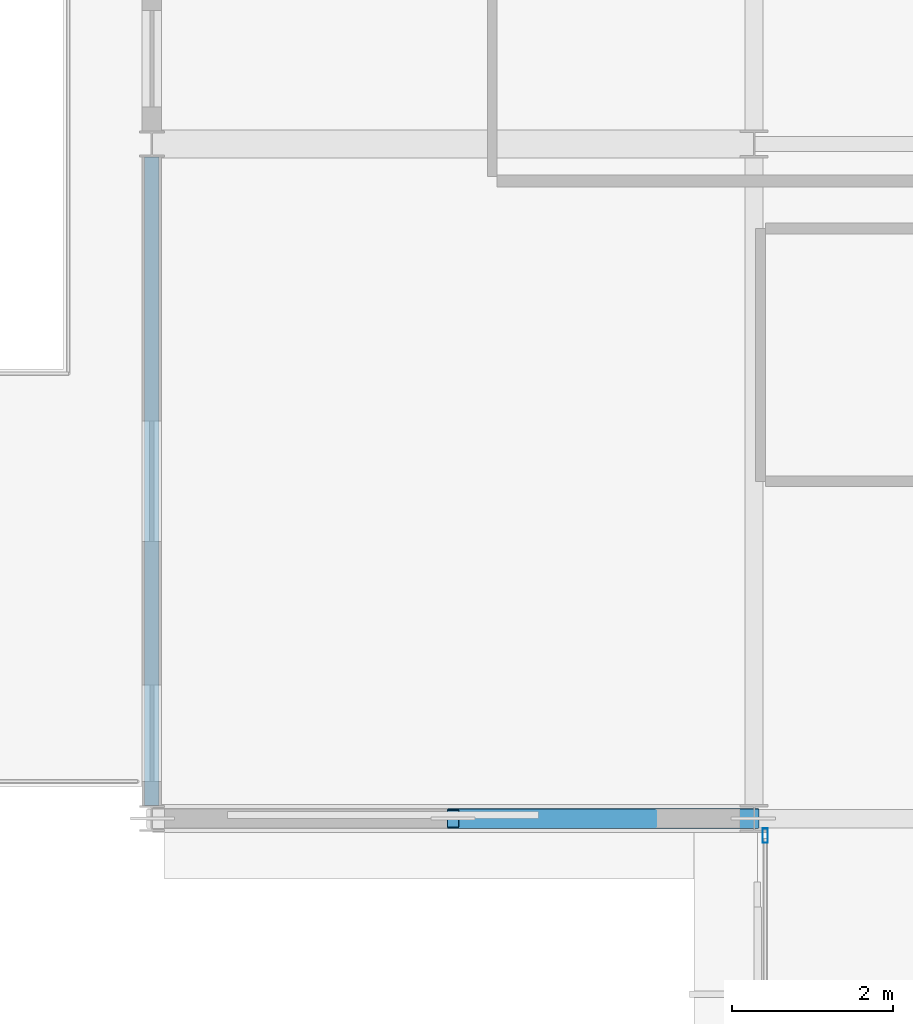
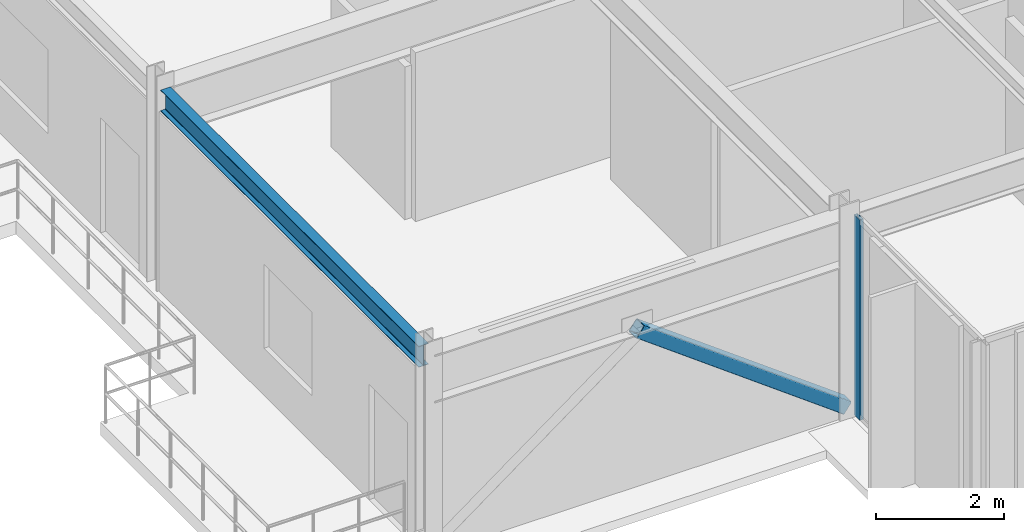
# One storey, part 4 of 30: 2 members, 1 beam, 1 element without a shape of its own.
"""IFC4 building model written with IfcOpenShell, lengths in metres."""

from ifc_helpers import new_model, si_unit, direction, frame, origin, origin_2d, place, context, subcontext, project, spatial, hollow_rectangle, i_section, extrude, material, layer, layer_set, material_profile, profile_set, type_object, element, aggregate, save


model = new_model("IFC4")

# Units and contexts
model_context = context("Model", 3, precision=1e-05, world=origin(), true_north=direction((0.0, 1.0)))
body_context = subcontext(model_context, "Body", "Model", "MODEL_VIEW")
ifc_project = project(units=[si_unit("LENGTHUNIT", "METRE"), si_unit("AREAUNIT", "SQUARE_METRE"), si_unit("VOLUMEUNIT", "CUBIC_METRE"), si_unit("PLANEANGLEUNIT", "RADIAN"), si_unit("MASSUNIT", "GRAM", prefix="KILO")], contexts=[model_context])

# Site, building, storey
site_placement = place(None, origin())
site = spatial("IfcSite", under=ifc_project, at=site_placement, CompositionType="ELEMENT")
building_placement = place(site_placement, origin())
building = spatial("IfcBuilding", under=site, at=building_placement, Name="Nerrivon Quay Data Exchange", CompositionType="ELEMENT")
storey_placement = place(building_placement, frame((0.0, 0.0, 171.39990234375)))
storey = spatial("IfcBuildingStorey", under=building, at=storey_placement, Name="L40", CompositionType="ELEMENT", Elevation=171.39990234375)

# Beam
ifc_material_1 = material(Name="Steel Grade 350", Category="steel")
ifc_material_profile_1 = material_profile(ifc_material_1, i_section(OverallWidth=0.177978515625, OverallDepth=0.403076171875, WebThickness=0.007568359375, FlangeThickness=0.010986328125, FilletRadius=0.011474609375, at=origin_2d()), Name="410UB53.7")
ifc_profile_set_1 = profile_set([ifc_material_profile_1], Name="Steel Grade 350")
beam_type = type_object("IfcBeamType", Name="BM-SP2-410UB54", PredefinedType="SPANDREL", material=ifc_profile_set_1)
beam_placement = place(storey_placement, frame((-7.5, 8.5634765625, 3.62353515625), z_axis=(0.0, 1.0, 0.0), x_axis=(-1.0, 0.0, 0.0)))
element("IfcBeam", 1, at=beam_placement, inside=storey, type_object=beam_type, Name="L40 West Hooked Edge Spandrel", PredefinedType="SPANDREL", context=body_context, shape_type="SweptSolid", body=[
    extrude(i_section(OverallWidth=0.177978515625, OverallDepth=0.403076171875, WebThickness=0.007568359375, FlangeThickness=0.010986328125, FilletRadius=0.011474609375, at=origin_2d()), origin(), (0.0, 0.0, 1.0), 8.072998046875),
])

# Curtain wall, member
ifc_material_2 = material(Name="Anodised aluminium 6063-T6", Category="aluminium")
ifc_layer = layer(ifc_material_2, 0.195068359375)
ifc_layer_set = layer_set([ifc_layer], Name="Anodised aluminium 6063-T6")
curtain_wall_type = type_object("IfcCurtainWallType", Name="CW-SYS-06", PredefinedType="NOTDEFINED", material=ifc_layer_set)
curtain_wall_placement = place(storey_placement, origin())
curtain_wall = element("IfcCurtainWall", 2, at=curtain_wall_placement, inside=storey, type_object=curtain_wall_type, Name="L40 Unitised Curtain Wall 31", PredefinedType="NOTDEFINED")
ifc_material_profile_2 = material_profile(ifc_material_2, hollow_rectangle(XDim=0.06494140625, YDim=0.179931640625, WallThickness=0.00341796875, at=origin_2d()), Name="ALU-MULL-180x65")
ifc_profile_set_2 = profile_set([ifc_material_profile_2], Name="Anodised aluminium 6063-T6")
member_type_1 = type_object("IfcMemberType", Name="CWM-180x65", PredefinedType="MULLION", material=ifc_profile_set_2)
member_1_placement = place(storey_placement, frame((0.139892578125, 8.1875, 0.0), z_axis=(0.0, 0.0, 1.0), x_axis=(-1.0, 0.0, 0.0)))
member_1 = element("IfcMember", 3, at=member_1_placement, type_object=member_type_1, Name="CW06 mullion 2", PredefinedType="MULLION", context=body_context, shape_type="SweptSolid", body=[
    extrude(hollow_rectangle(XDim=0.06494140625, YDim=0.179931640625, WallThickness=0.00341796875, at=origin_2d()), origin(), (0.0, 0.0, 1.0), 3.8251953125),
])
aggregate(curtain_wall, [member_1])

# Member
ifc_material_3 = material(Name="Steel Grade C350L0 (350 MPa)", Category="steel")
ifc_material_profile_3 = material_profile(ifc_material_3, hollow_rectangle(XDim=0.25, YDim=0.25, WallThickness=0.012451171875, InnerFilletRadius=0.018798828125, OuterFilletRadius=0.03125, at=origin_2d()), Name="250x250x12.5SHS")
ifc_profile_set_3 = profile_set([ifc_material_profile_3], Name="Steel Grade C350L0 (350 MPa)")
member_type_2 = type_object("IfcMemberType", Name="MEM-WB1-250SHS", PredefinedType="BRACE", material=ifc_profile_set_3)
member_2_placement = place(storey_placement, frame((-0.010009765625, 8.39990234375, 0.16015625), z_axis=(-0.804119410899, 0.0, 0.594467806543), x_axis=(0.0, -1.0, 0.0)))
element("IfcMember", 4, at=member_2_placement, inside=storey, type_object=member_type_2, Name="L40 structural brace BR-L40-WHOOK-084A", PredefinedType="BRACE", context=body_context, shape_type="SweptSolid", body=[
    extrude(hollow_rectangle(XDim=0.25, YDim=0.25, WallThickness=0.012451171875, InnerFilletRadius=0.018798828125, OuterFilletRadius=0.03125, at=origin_2d()), origin(), (0.0, 0.0, 1.0), 4.651123046875),
])

save(model, "model.ifc")
